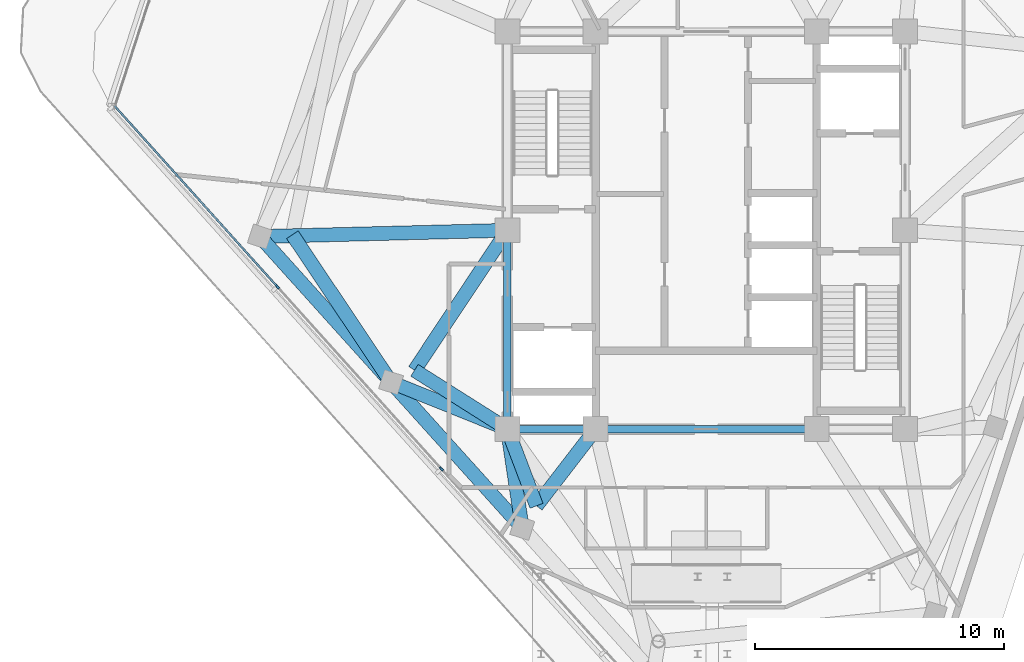
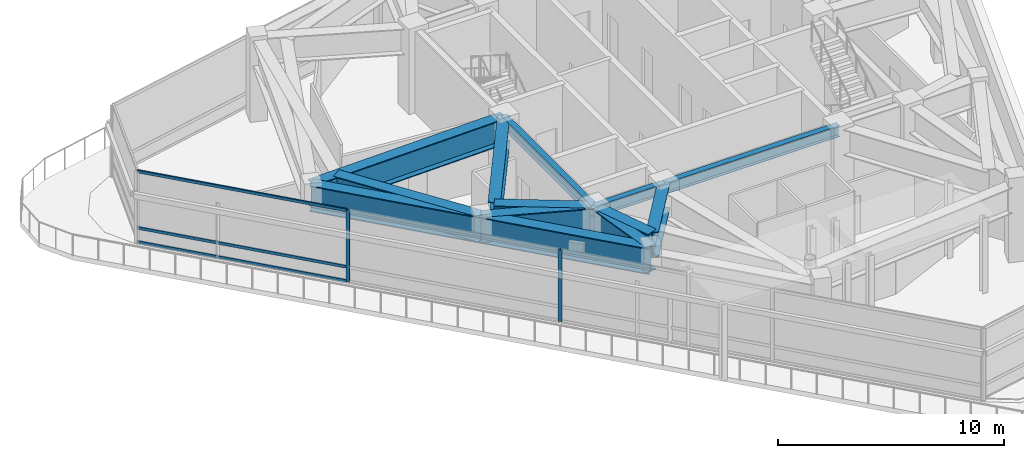
# One storey, part 4 of 15: 13 beams, 5 members, 1 element without a shape of its own.
"""IFC4 building model written with IfcOpenShell, lengths in metres."""

from ifc_helpers import new_model, si_unit, direction, frame, origin, origin_2d, place, context, subcontext, project, spatial, rectangle, i_section, extrude, material, layer, layer_set, material_profile, profile_set, type_object, element, aggregate, save


model = new_model("IFC4")

# Units and contexts
model_context = context("Model", 3, precision=1e-05, world=origin(), true_north=direction((0.0, 1.0)))
body_context = subcontext(model_context, "Body", "Model", "MODEL_VIEW")
ifc_project = project(units=[si_unit("LENGTHUNIT", "METRE"), si_unit("AREAUNIT", "SQUARE_METRE"), si_unit("VOLUMEUNIT", "CUBIC_METRE"), si_unit("PLANEANGLEUNIT", "RADIAN"), si_unit("MASSUNIT", "GRAM", prefix="KILO")], contexts=[model_context])

# Site, building, storey
site_placement = place(None, origin())
site = spatial("IfcSite", under=ifc_project, at=site_placement, CompositionType="ELEMENT")
building_placement = place(site_placement, origin())
building = spatial("IfcBuilding", under=site, at=building_placement, Name="Terralouvre Media Tower", CompositionType="ELEMENT")
storey_placement = place(building_placement, frame((0.0, 0.0, 312.800048828125)))
storey = spatial("IfcBuildingStorey", under=building, at=storey_placement, Name="L81", CompositionType="ELEMENT", Elevation=312.800048828125)

# Curtain wall, members
ifc_material_1 = material(Name="Low-iron laminated double glazing with solar-control coating", Category="glass")
ifc_layer = layer(ifc_material_1, 0.1650390625, Name="Faceted Glass-Point Crown Curtain Wall CW-06")
ifc_layer_set = layer_set([ifc_layer], Name="Low-iron laminated double glazing with solar-control coating")
curtain_wall_type = type_object("IfcCurtainWallType", Name="Faceted Glass-Point Crown Curtain Wall CW-06", PredefinedType="NOTDEFINED", material=ifc_layer_set)
curtain_wall_placement = place(storey_placement, origin())
curtain_wall = element("IfcCurtainWall", 1, at=curtain_wall_placement, inside=storey, type_object=curtain_wall_type, Name="L81 Facade Curtain Wall F2", PredefinedType="NOTDEFINED")
ifc_material_2 = material(Name="Anodised extruded aluminium 6063-T6", Category="aluminium")
ifc_material_profile_1 = material_profile(ifc_material_2, rectangle(XDim=0.074951171875, YDim=0.14990234375, at=origin_2d()), Name="ALU 75x150")
ifc_profile_set_1 = profile_set([ifc_material_profile_1], Name="Anodised extruded aluminium 6063-T6")
member_type_1 = type_object("IfcMemberType", Name="Curtain-Wall Horizontal Transom TR-150", PredefinedType="USERDEFINED", material=ifc_profile_set_1)
member_1_placement = place(storey_placement, frame((-23.8056640625, 5.000244140625, 0.037353515625), z_axis=(0.669118317667, -0.743155890081, 0.0), x_axis=(0.743155890081, 0.669118317667, 0.0)))
member_1 = element("IfcMember", 2, at=member_1_placement, type_object=member_type_1, Name="CW-06 transom 1.1", ObjectType="TRANSOM", PredefinedType="USERDEFINED", context=body_context, shape_type="SweptSolid", body=[
    extrude(rectangle(XDim=0.074951171875, YDim=0.14990234375, at=origin_2d()), origin(), (0.0, 0.0, 1.0), 9.74755859375),
])
member_2_placement = place(storey_placement, frame((-23.8056640625, 5.000244140625, 0.800048828125), z_axis=(0.669118317667, -0.743155890081, 0.0), x_axis=(0.743155890081, 0.669118317667, 0.0)))
member_2 = element("IfcMember", 3, at=member_2_placement, type_object=member_type_1, Name="CW-06 transom 1.2", ObjectType="TRANSOM", PredefinedType="USERDEFINED", context=body_context, shape_type="SweptSolid", body=[
    extrude(rectangle(XDim=0.074951171875, YDim=0.14990234375, at=origin_2d()), origin(), (0.0, 0.0, 1.0), 9.74755859375),
])
member_3_placement = place(storey_placement, frame((-23.8056640625, 5.000244140625, 3.842529296875), z_axis=(0.669118317667, -0.743155890081, 0.0), x_axis=(0.743155890081, 0.669118317667, 0.0)))
member_3 = element("IfcMember", 4, at=member_3_placement, type_object=member_type_1, Name="CW-06 transom 1.3", ObjectType="TRANSOM", PredefinedType="USERDEFINED", context=body_context, shape_type="SweptSolid", body=[
    extrude(rectangle(XDim=0.074951171875, YDim=0.14990234375, at=origin_2d()), origin(), (0.0, 0.0, 1.0), 9.74755859375),
])
ifc_material_3 = material(Name="Anodised extruded aluminium 6063-T6", Category="aluminium")
ifc_material_profile_2 = material_profile(ifc_material_3, rectangle(XDim=0.074951171875, YDim=0.179931640625, at=origin_2d()), Name="ALU 75x180")
ifc_profile_set_2 = profile_set([ifc_material_profile_2], Name="Anodised extruded aluminium 6063-T6")
member_type_2 = type_object("IfcMemberType", Name="Curtain-Wall Vertical Mullion ML-180", PredefinedType="MULLION", material=ifc_profile_set_2)
member_4_placement = place(storey_placement, frame((-17.25830078125, -2.271484375, 0.0), z_axis=(0.0, 0.0, 1.0), x_axis=(0.743144691688, 0.669130754947, 0.0)))
member_4 = element("IfcMember", 5, at=member_4_placement, type_object=member_type_2, Name="CW-06 mullion 2", PredefinedType="MULLION", context=body_context, shape_type="SweptSolid", body=[
    extrude(rectangle(XDim=0.074951171875, YDim=0.179931640625, at=origin_2d()), origin(), (0.0, 0.0, 1.0), 3.8798828125),
])
member_5_placement = place(storey_placement, frame((-10.66064453125, -9.598876953125, 0.0), z_axis=(0.0, 0.0, 1.0), x_axis=(0.743144691688, 0.669130754947, 0.0)))
member_5 = element("IfcMember", 6, at=member_5_placement, type_object=member_type_2, Name="CW-06 mullion 3", PredefinedType="MULLION", context=body_context, shape_type="SweptSolid", body=[
    extrude(rectangle(XDim=0.074951171875, YDim=0.179931640625, at=origin_2d()), origin(), (0.0, 0.0, 1.0), 3.8798828125),
])
aggregate(curtain_wall, [member_4, member_5, member_1, member_2, member_3])

# Beams
ifc_material_4 = material(Name="Structural steel S460M", Category="steel")
ifc_material_profile_3 = material_profile(ifc_material_4, i_section(OverallWidth=0.300048828125, OverallDepth=0.60009765625, WebThickness=0.015380859375, FlangeThickness=0.030029296875, at=origin_2d()), Name="HEB 600")
ifc_profile_set_3 = profile_set([ifc_material_profile_3], Name="Structural steel S460M")
beam_type_1 = type_object("IfcBeamType", Name="Primary Floor Girder B-HEB600 (HEB 600)", PredefinedType="BEAM", material=ifc_profile_set_3)
beam_1_placement = place(storey_placement, frame((-8.0, -8.0, 4.079833984375), z_axis=(1.0, 0.0, 0.0), x_axis=(0.0, 1.0, 0.0)))
element("IfcBeam", 7, at=beam_1_placement, inside=storey, type_object=beam_type_1, Name="L81 Framing Beam BM-L81-CPR01", PredefinedType="BEAM", context=body_context, shape_type="SweptSolid", body=[
    extrude(i_section(OverallWidth=0.300048828125, OverallDepth=0.60009765625, WebThickness=0.015380859375, FlangeThickness=0.030029296875, at=origin_2d()), origin(), (0.0, 0.0, 1.0), 3.550048828125),
])
beam_2_placement = place(storey_placement, frame((-4.449951171875, -8.0, 4.079833984375), z_axis=(1.0, 0.0, 0.0), x_axis=(0.0, 1.0, 0.0)))
element("IfcBeam", 8, at=beam_2_placement, inside=storey, type_object=beam_type_1, Name="L81 Framing Beam BM-L81-CPR02", PredefinedType="BEAM", context=body_context, shape_type="SweptSolid", body=[
    extrude(i_section(OverallWidth=0.300048828125, OverallDepth=0.60009765625, WebThickness=0.015380859375, FlangeThickness=0.030029296875, at=origin_2d()), origin(), (0.0, 0.0, 1.0), 8.89990234375),
])
beam_3_placement = place(storey_placement, frame((-8.0, 0.0, 4.079833984375), z_axis=(0.0, -1.0, 0.0), x_axis=(1.0, 0.0, 0.0)))
element("IfcBeam", 9, at=beam_3_placement, inside=storey, type_object=beam_type_1, Name="L81 Framing Beam BM-L81-CPR10", PredefinedType="BEAM", context=body_context, shape_type="SweptSolid", body=[
    extrude(i_section(OverallWidth=0.300048828125, OverallDepth=0.60009765625, WebThickness=0.015380859375, FlangeThickness=0.030029296875, at=origin_2d()), origin(), (0.0, 0.0, 1.0), 8.0),
])
ifc_material_5 = material(Name="Structural steel S460M", Category="steel")
ifc_material_profile_4 = material_profile(ifc_material_5, i_section(OverallWidth=0.56005859375, OverallDepth=1.39990234375, WebThickness=0.031982421875, FlangeThickness=0.050048828125, at=origin_2d()), Name="TG 1400x560")
ifc_profile_set_4 = profile_set([ifc_material_profile_4], Name="Structural steel S460M")
beam_type_2 = type_object("IfcBeamType", Name="Welded Transfer Girder TG-1400 (TG 1400x560)", PredefinedType="USERDEFINED", material=ifc_profile_set_4)
beam_4_placement = place(storey_placement, frame((-17.9609375, -0.250732421875, 3.679931640625), z_axis=(0.669135715464, -0.743140225186, 0.0), x_axis=(0.743140225186, 0.669135715464, 0.0)))
element("IfcBeam", 10, at=beam_4_placement, inside=storey, type_object=beam_type_2, Name="L81 Framing Beam BM-L81-PR01", ObjectType="TRANSFER GIRDER", PredefinedType="USERDEFINED", context=body_context, shape_type="SweptSolid", body=[
    extrude(i_section(OverallWidth=0.56005859375, OverallDepth=1.39990234375, WebThickness=0.031982421875, FlangeThickness=0.050048828125, at=origin_2d()), origin(), (0.0, 0.0, 1.0), 7.887939453125),
])
beam_5_placement = place(storey_placement, frame((-12.682861328125, -6.112548828125, 3.679931640625), z_axis=(0.66912032479, -0.743154082915, 0.0), x_axis=(0.743154082915, 0.66912032479, 0.0)))
element("IfcBeam", 11, at=beam_5_placement, inside=storey, type_object=beam_type_2, Name="L81 Framing Beam BM-L81-PR02", ObjectType="TRANSFER GIRDER", PredefinedType="USERDEFINED", context=body_context, shape_type="SweptSolid", body=[
    extrude(i_section(OverallWidth=0.56005859375, OverallDepth=1.39990234375, WebThickness=0.031982421875, FlangeThickness=0.050048828125, at=origin_2d()), origin(), (0.0, 0.0, 1.0), 7.88818359375),
])
beam_6_placement = place(storey_placement, frame((-8.0, 0.0, 3.679931640625), z_axis=(-0.999683346534, -0.025163597963, 0.0), x_axis=(0.025163597963, -0.999683346534, 0.0)))
element("IfcBeam", 12, at=beam_6_placement, inside=storey, type_object=beam_type_2, Name="L81 Framing Beam BM-L81-RD01", ObjectType="TRANSFER GIRDER", PredefinedType="USERDEFINED", context=body_context, shape_type="SweptSolid", body=[
    extrude(i_section(OverallWidth=0.56005859375, OverallDepth=1.39990234375, WebThickness=0.031982421875, FlangeThickness=0.050048828125, at=origin_2d()), origin(), (0.0, 0.0, 1.0), 9.964111328125),
])
beam_7_placement = place(storey_placement, frame((-8.0, -8.0, 3.679931640625), z_axis=(-0.927496373959, 0.373832149892, 0.0), x_axis=(-0.373832149892, -0.927496373959, 0.0)))
element("IfcBeam", 13, at=beam_7_placement, inside=storey, type_object=beam_type_2, Name="L81 Framing Beam BM-L81-RD02", ObjectType="TRANSFER GIRDER", PredefinedType="USERDEFINED", context=body_context, shape_type="SweptSolid", body=[
    extrude(i_section(OverallWidth=0.56005859375, OverallDepth=1.39990234375, WebThickness=0.031982421875, FlangeThickness=0.050048828125, at=origin_2d()), origin(), (0.0, 0.0, 1.0), 5.048828125),
])
beam_8_placement = place(storey_placement, frame((-8.0, -8.0, 3.679931640625), z_axis=(0.148102804974, -0.988971970866, 0.0), x_axis=(0.988971970866, 0.148102804974, 0.0)))
element("IfcBeam", 14, at=beam_8_placement, inside=storey, type_object=beam_type_2, Name="L81 Framing Beam BM-L81-RD03", ObjectType="TRANSFER GIRDER", PredefinedType="USERDEFINED", context=body_context, shape_type="SweptSolid", body=[
    extrude(i_section(OverallWidth=0.56005859375, OverallDepth=1.39990234375, WebThickness=0.031982421875, FlangeThickness=0.050048828125, at=origin_2d()), origin(), (0.0, 0.0, 1.0), 4.01904296875),
])
beam_9_placement = place(storey_placement, frame((-16.65234375, -0.178466796875, 3.679931640625), z_axis=(0.556001616187, -0.831181209363, 0.0), x_axis=(0.831181209363, 0.556001616187, 0.0)))
element("IfcBeam", 15, at=beam_9_placement, inside=storey, type_object=beam_type_2, Name="L81 Framing Beam BM-L81-TR09S1", ObjectType="TRANSFER GIRDER", PredefinedType="USERDEFINED", context=body_context, shape_type="SweptSolid", body=[
    extrude(i_section(OverallWidth=0.56005859375, OverallDepth=1.39990234375, WebThickness=0.031982421875, FlangeThickness=0.050048828125, at=origin_2d()), origin(), (0.0, 0.0, 1.0), 7.139404296875),
])
beam_10_placement = place(storey_placement, frame((-11.74072265625, -5.633056640625, 3.679931640625), z_axis=(0.845041710462, -0.53470039048, 0.0), x_axis=(0.53470039048, 0.845041710462, 0.0)))
element("IfcBeam", 16, at=beam_10_placement, inside=storey, type_object=beam_type_2, Name="L81 Framing Beam BM-L81-TR10S1", ObjectType="TRANSFER GIRDER", PredefinedType="USERDEFINED", context=body_context, shape_type="SweptSolid", body=[
    extrude(i_section(OverallWidth=0.56005859375, OverallDepth=1.39990234375, WebThickness=0.031982421875, FlangeThickness=0.050048828125, at=origin_2d()), origin(), (0.0, 0.0, 1.0), 4.4267578125),
])
beam_11_placement = place(storey_placement, frame((-11.74072265625, -5.633056640625, 3.679931640625), z_axis=(0.553199552401, 0.833048771215, 0.0), x_axis=(-0.833048771215, 0.553199552401, 0.0)))
element("IfcBeam", 17, at=beam_11_placement, inside=storey, type_object=beam_type_2, Name="L81 Framing Beam BM-L81-TR10S2", ObjectType="TRANSFER GIRDER", PredefinedType="USERDEFINED", context=body_context, shape_type="SweptSolid", body=[
    extrude(i_section(OverallWidth=0.56005859375, OverallDepth=1.39990234375, WebThickness=0.031982421875, FlangeThickness=0.050048828125, at=origin_2d()), origin(), (0.0, 0.0, 1.0), 6.761962890625),
])
beam_12_placement = place(storey_placement, frame((-6.829345703125, -11.087646484375, 3.679931640625), z_axis=(-0.35451604493, 0.935049931227, 0.0), x_axis=(-0.935049931227, -0.35451604493, 0.0)))
element("IfcBeam", 18, at=beam_12_placement, inside=storey, type_object=beam_type_2, Name="L81 Framing Beam BM-L81-TR11S1", ObjectType="TRANSFER GIRDER", PredefinedType="USERDEFINED", context=body_context, shape_type="SweptSolid", body=[
    extrude(i_section(OverallWidth=0.56005859375, OverallDepth=1.39990234375, WebThickness=0.031982421875, FlangeThickness=0.050048828125, at=origin_2d()), origin(), (0.0, 0.0, 1.0), 3.302001953125),
])
beam_13_placement = place(storey_placement, frame((-6.829345703125, -11.087646484375, 3.679931640625), z_axis=(0.610400633666, 0.792092839521, 0.0), x_axis=(-0.792092839521, 0.610400633666, 0.0)))
element("IfcBeam", 19, at=beam_13_placement, inside=storey, type_object=beam_type_2, Name="L81 Framing Beam BM-L81-TR11S2", ObjectType="TRANSFER GIRDER", PredefinedType="USERDEFINED", context=body_context, shape_type="SweptSolid", body=[
    extrude(i_section(OverallWidth=0.56005859375, OverallDepth=1.39990234375, WebThickness=0.031982421875, FlangeThickness=0.050048828125, at=origin_2d()), origin(), (0.0, 0.0, 1.0), 3.898193359375),
])

save(model, "model.ifc")
